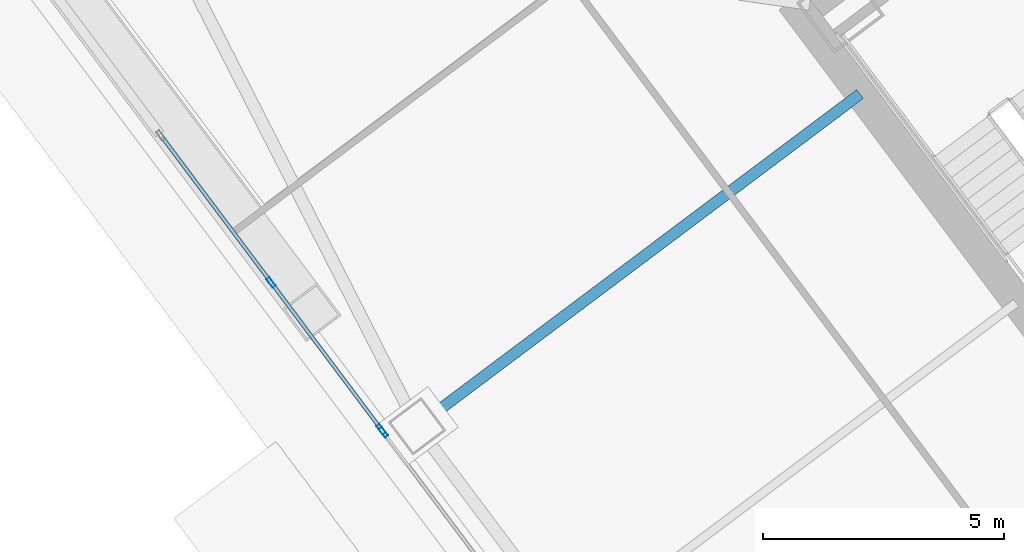
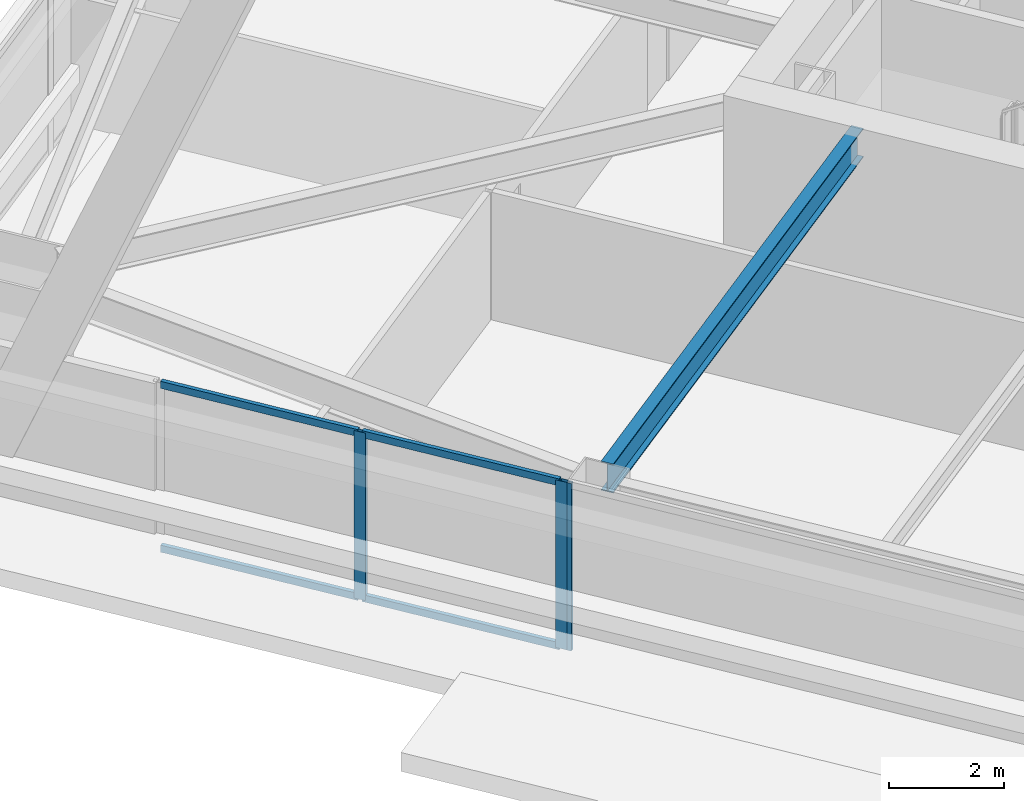
# One storey, part 35 of 67: 7 members, 1 beam, 2 elements without a shape of their own.
"""IFC4 building model written with IfcOpenShell, lengths in metres."""

import ifcopenshell
import ifcopenshell.guid

model = None  # the IFC model being written
_history = None  # IfcOwnerHistory: only IFC2X3 demands one
_inside = {}  # id of a spatial element -> (the spatial element, [elements in it])
_under = {}  # id of a project, library or spatial element -> (it, [spatial elements below it])
_declared = {}  # id of a project -> (the project, [libraries it declares])
_typed = {}  # id of a type object -> (the type object, [elements of that type])
_made_of = {}  # id of a material, layer set ... -> (it, [elements and type objects made of it])


def new_model(schema):
    """Start an empty IFC model of exactly this schema.

    Asked for "IFC4X3", IfcOpenShell would pick the latest addendum, in which some entities
    have other attributes; the version numbers below select the first issue.
    IFC2X3 requires an IfcOwnerHistory on every rooted entity: one is made here for all.
    """
    global model, _history
    if schema == "IFC4X3":
        model = ifcopenshell.file(schema_version=(4, 3, 0, 0))
    else:
        model = ifcopenshell.file(schema=schema)
    _inside.clear()
    _under.clear()
    _declared.clear()
    _typed.clear()
    _made_of.clear()
    _history = None
    if model.schema == "IFC2X3":
        org = make("IfcOrganization", Name="unknown")
        user = make(
            "IfcPersonAndOrganization",
            ThePerson=make("IfcPerson", FamilyName="unknown"),
            TheOrganization=org,
        )
        app = make(
            "IfcApplication",
            ApplicationDeveloper=org,
            Version="unknown",
            ApplicationFullName="unknown",
            ApplicationIdentifier="unknown",
        )
        _history = make(
            "IfcOwnerHistory",
            OwningUser=user,
            OwningApplication=app,
            ChangeAction="ADDED",
            CreationDate=0,
        )
    return model


def make(cls, **values):
    """One entity of the class cls with the attributes given. An attribute that is None is left unset."""
    return model.create_entity(
        cls, **{name: value for name, value in values.items() if value is not None}
    )


def rooted(cls, **values):
    """An entity with a GlobalId (a new one), such as an element, a storey or a relation."""
    return make(cls, GlobalId=ifcopenshell.guid.new(), OwnerHistory=_history, **values)


def si_unit(unit_type, name, prefix=None):
    """IfcSIUnit, for example si_unit("LENGTHUNIT", "METRE", prefix="MILLI")."""
    return make("IfcSIUnit", UnitType=unit_type, Prefix=prefix, Name=name)


def assignment(units):
    """IfcUnitAssignment: the units of a project."""
    return None if units is None else make("IfcUnitAssignment", Units=units)


def point(xyz):
    """IfcCartesianPoint."""
    return None if xyz is None else make("IfcCartesianPoint", Coordinates=xyz)


def direction(xyz):
    """IfcDirection."""
    return None if xyz is None else make("IfcDirection", DirectionRatios=xyz)


def frame(location, z_axis=None, x_axis=None):
    """IfcAxis2Placement3D, a coordinate frame: its origin and axes. An axis left out is left unset."""
    return make(
        "IfcAxis2Placement3D",
        Location=point(location),
        Axis=direction(z_axis),
        RefDirection=direction(x_axis),
    )


def frame_2d(location, x_axis=None):
    """IfcAxis2Placement2D, a coordinate frame in the plane: its origin and x axis."""
    return make(
        "IfcAxis2Placement2D", Location=point(location), RefDirection=direction(x_axis)
    )


def origin():
    """The frame at (0, 0, 0) with its axes left unset."""
    return frame((0.0, 0.0, 0.0))


def origin_2d():
    """The frame at (0, 0) in the plane with its x axis left unset."""
    return frame_2d((0.0, 0.0))


def place(relative_to, where):
    """IfcLocalPlacement: puts the frame where relative to a parent placement (None: the world)."""
    return make(
        "IfcLocalPlacement", PlacementRelTo=relative_to, RelativePlacement=where
    )


def context(
    kind, dimensions, precision=None, world=None, true_north=None, identifier=None
):
    """IfcGeometricRepresentationContext, for example the 3D "Model" context."""
    return make(
        "IfcGeometricRepresentationContext",
        ContextIdentifier=identifier,
        ContextType=kind,
        CoordinateSpaceDimension=dimensions,
        Precision=precision,
        WorldCoordinateSystem=world,
        TrueNorth=true_north,
    )


def subcontext(parent, identifier, kind, view, scale=None):
    """IfcGeometricRepresentationSubContext, for example "Body" below "Model"."""
    return make(
        "IfcGeometricRepresentationSubContext",
        ContextIdentifier=identifier,
        ContextType=kind,
        ParentContext=parent,
        TargetScale=scale,
        TargetView=view,
    )


def project(units=None, contexts=None):
    """IfcProject with its units and contexts."""
    return rooted(
        "IfcProject",
        Name="project",
        RepresentationContexts=contexts,
        UnitsInContext=assignment(units),
    )


def spatial(cls, under=None, at=None, **own):
    """A site, building, storey or space (cls), placed at a placement, below another one or the project."""
    s = rooted(cls, ObjectPlacement=at, **own)
    if under is not None:
        _under.setdefault(under.id(), (under, []))[1].append(s)
    return s


def profile(cls, at=None, kind="AREA", **sizes):
    """A parametric profile (cls). Its sizes go by their IFC names, for example OverallWidth=200.0."""
    return make(cls, ProfileType=kind, Position=at, **sizes)


def hollow_rectangle(**sizes):
    """IfcRectangleHollowProfileDef."""
    return profile("IfcRectangleHollowProfileDef", **sizes)


def i_section(**sizes):
    """IfcIShapeProfileDef."""
    return profile("IfcIShapeProfileDef", **sizes)


def extrude(swept, where, along, depth):
    """IfcExtrudedAreaSolid: the profile swept, set in the frame where, extruded along a direction by depth."""
    return make(
        "IfcExtrudedAreaSolid",
        SweptArea=swept,
        Position=where,
        ExtrudedDirection=direction(along),
        Depth=depth,
    )


def shape(context_of_items, identifier, shape_type, items):
    """IfcShapeRepresentation: the items that make up one representation, for example the "Body"."""
    return make(
        "IfcShapeRepresentation",
        ContextOfItems=context_of_items,
        RepresentationIdentifier=identifier,
        RepresentationType=shape_type,
        Items=items,
    )


def material(Name=None, Category=None):
    """IfcMaterial."""
    return make("IfcMaterial", Name=Name, Category=Category)


def material_profile(
    of_material, cross_section, Name=None, Category=None, Priority=None
):
    """IfcMaterialProfile: a cross section and its material."""
    return make(
        "IfcMaterialProfile",
        Name=Name,
        Material=of_material,
        Profile=cross_section,
        Priority=Priority,
        Category=Category,
    )


def profile_set(profiles, Name=None, composite=None):
    """IfcMaterialProfileSet."""
    return make(
        "IfcMaterialProfileSet",
        Name=Name,
        MaterialProfiles=profiles,
        CompositeProfile=composite,
    )


def made_of(thing, what):
    """Note that an element or type object is made of a material, layer set ...; save() writes the relation."""
    if what is not None:
        _made_of.setdefault(what.id(), (what, []))[1].append(thing)
    return thing


def type_object(cls, material=None, **own):
    """A type object (cls), such as IfcWallType, which elements share."""
    return made_of(rooted(cls, **own), material)


def element(
    cls,
    number,
    at=None,
    inside=None,
    cuts=None,
    type_object=None,
    material=None,
    context=None,
    identifier="Body",
    shape_type=None,
    held_by="IfcProductDefinitionShape",
    body=None,
    shapes=None,
    **own,
):
    """One element of the class cls, such as IfcWall. Its Tag is "e" and its number.

    at: its placement. inside: the storey or other place that contains it. cuts: it is an
    opening in that element (IfcRelVoidsElement). A single representation is given by context,
    identifier, shape_type and body (its items); several are given by shapes. held_by: the class
    of the entity that holds the representations. save() writes the other relations.
    """
    e = rooted(cls, Tag="e%d" % number, ObjectPlacement=at, **own)
    if body is not None:
        shapes = [shape(context, identifier, shape_type, body)]
    if shapes is not None:
        e.Representation = make(held_by, Representations=shapes)
    if inside is not None:
        _inside.setdefault(inside.id(), (inside, []))[1].append(e)
    if cuts is not None:
        rooted(
            "IfcRelVoidsElement", RelatingBuildingElement=cuts, RelatedOpeningElement=e
        )
    if type_object is not None:
        _typed.setdefault(type_object.id(), (type_object, []))[1].append(e)
    return made_of(e, material)


def aggregate(whole, parts):
    """IfcRelAggregates: a whole, such as a stair, and the parts it consists of."""
    return rooted("IfcRelAggregates", RelatingObject=whole, RelatedObjects=parts)


def save(model, path):
    """Write the relations noted so far, then the file.

    IfcRelAggregates (storeys below a building ...), IfcRelContainedInSpatialStructure (elements
    in a storey), IfcRelDefinesByType, IfcRelAssociatesMaterial and IfcRelDeclares: one each for
    every whole, place, type object, material and project.
    """
    for whole, parts in _under.values():
        aggregate(whole, parts)
    for where, things in _inside.values():
        rooted(
            "IfcRelContainedInSpatialStructure",
            RelatedElements=things,
            RelatingStructure=where,
        )
    for kind, things in _typed.values():
        rooted("IfcRelDefinesByType", RelatedObjects=things, RelatingType=kind)
    for what, things in _made_of.values():
        rooted("IfcRelAssociatesMaterial", RelatedObjects=things, RelatingMaterial=what)
    for by, libraries in _declared.values():
        rooted("IfcRelDeclares", RelatingContext=by, RelatedDefinitions=libraries)
    model.write(path)


model = new_model("IFC4")

# Units and contexts
model_context = context("Model", 3, precision=1e-05, world=origin(), true_north=direction((0.0, 1.0)))
body_context = subcontext(model_context, "Body", "Model", "MODEL_VIEW")
ifc_project = project(units=[si_unit("LENGTHUNIT", "METRE"), si_unit("AREAUNIT", "SQUARE_METRE"), si_unit("VOLUMEUNIT", "CUBIC_METRE"), si_unit("PLANEANGLEUNIT", "RADIAN"), si_unit("MASSUNIT", "GRAM", prefix="KILO")], contexts=[model_context])

# Site, building, storey
site_placement = place(None, origin())
site = spatial("IfcSite", under=ifc_project, at=site_placement, CompositionType="ELEMENT")
building_placement = place(site_placement, origin())
building = spatial("IfcBuilding", under=site, at=building_placement, Name="Tashvorn Skyway Center", CompositionType="ELEMENT")
storey_placement = place(building_placement, frame((0.0, 0.0, 67.199951171875)))
storey = spatial("IfcBuildingStorey", under=building, at=storey_placement, Name="L17", CompositionType="ELEMENT", Elevation=67.199951171875)

# Beam
ifc_material_1 = material(Name="Steel ASTM A992 Grade 50", Category="steel")
ifc_material_profile_1 = material_profile(ifc_material_1, i_section(OverallWidth=0.22998046875, OverallDepth=0.616943359375, WebThickness=0.01318359375, FlangeThickness=0.022216796875, at=origin_2d()), Name="W24X94")
ifc_profile_set_1 = profile_set([ifc_material_profile_1], Name="Steel ASTM A992 Grade 50")
beam_type = type_object("IfcBeamType", Name="BM-BEAM-W24X94", PredefinedType="BEAM", material=ifc_profile_set_1)
beam_placement = place(storey_placement, frame((95.696044921875, 25.02197265625, 3.04150390625), z_axis=(0.799989394625, 0.60001414024, 0.0), x_axis=(-0.60001414024, 0.799989394625, 0.0)))
element("IfcBeam", 1, at=beam_placement, inside=storey, type_object=beam_type, Name="Tower 2 L17 Primary Floor Girder FC-W1", PredefinedType="BEAM", context=body_context, shape_type="SweptSolid", body=[
    extrude(i_section(OverallWidth=0.22998046875, OverallDepth=0.616943359375, WebThickness=0.01318359375, FlangeThickness=0.022216796875, at=origin_2d()), origin(), (0.0, 0.0, 1.0), 11.050048828125),
])

# Curtain wall, member
ifc_material_2 = material(Name="Thermally broken bronze-anodized aluminium 6063-T6", Category="aluminium")
curtain_wall_type = type_object("IfcCurtainWallType", Name="CW-CW-Z2", PredefinedType="NOTDEFINED", material=ifc_material_2)
curtain_wall_1_placement = place(storey_placement, origin())
curtain_wall_1 = element("IfcCurtainWall", 2, at=curtain_wall_1_placement, inside=storey, type_object=curtain_wall_type, Name="Tower 2 L17 West Unitised Curtain Wall Glazing Group 2", PredefinedType="NOTDEFINED")
ifc_material_profile_2 = material_profile(ifc_material_2, hollow_rectangle(XDim=0.080078125, YDim=0.219970703125, WallThickness=0.0048828125, at=origin_2d()), Name="ALU-MULL-80x220")
ifc_profile_set_2 = profile_set([ifc_material_profile_2], Name="Thermally broken bronze-anodized aluminium 6063-T6")
member_type_1 = type_object("IfcMemberType", Name="CWM-CW-Z2", PredefinedType="MULLION", material=ifc_profile_set_2)
member_1_placement = place(storey_placement, frame((94.6640625, 24.64794921875, 0.0), z_axis=(0.0, 0.0, 1.0), x_axis=(-0.799999999998, -0.600000000002, 0.0)))
member_1 = element("IfcMember", 3, at=member_1_placement, type_object=member_type_1, Name="CW-Z2 mullion 2", PredefinedType="MULLION", context=body_context, shape_type="SweptSolid", body=[
    extrude(hollow_rectangle(XDim=0.080078125, YDim=0.219970703125, WallThickness=0.0048828125, at=origin_2d()), origin(), (0.0, 0.0, 1.0), 3.550048828125),
])
aggregate(curtain_wall_1, [member_1])

# Curtain wall, members
curtain_wall_2_placement = place(storey_placement, origin())
curtain_wall_2 = element("IfcCurtainWall", 4, at=curtain_wall_2_placement, inside=storey, type_object=curtain_wall_type, Name="Tower 2 L17 West Unitised Curtain Wall Glazing Group 3", PredefinedType="NOTDEFINED")
member_2_placement = place(storey_placement, frame((94.615966796875, 24.7119140625, 0.0), z_axis=(0.0, 0.0, 1.0), x_axis=(-0.799999999998, -0.600000000002, 0.0)))
member_2 = element("IfcMember", 5, at=member_2_placement, type_object=member_type_1, Name="CW-Z2 mullion 1", PredefinedType="MULLION", context=body_context, shape_type="SweptSolid", body=[
    extrude(hollow_rectangle(XDim=0.080078125, YDim=0.219970703125, WallThickness=0.0048828125, at=origin_2d()), origin(), (0.0, 0.0, 1.0), 3.550048828125),
])
member_3_placement = place(storey_placement, frame((92.3359375, 27.751953125, 0.0), z_axis=(0.0, 0.0, 1.0), x_axis=(-0.799999999998, -0.600000000002, 0.0)))
member_3 = element("IfcMember", 6, at=member_3_placement, type_object=member_type_1, Name="CW-Z2 mullion 2", PredefinedType="MULLION", context=body_context, shape_type="SweptSolid", body=[
    extrude(hollow_rectangle(XDim=0.080078125, YDim=0.219970703125, WallThickness=0.0048828125, at=origin_2d()), origin(), (0.0, 0.0, 1.0), 3.550048828125),
])
ifc_material_profile_3 = material_profile(ifc_material_2, hollow_rectangle(XDim=0.080078125, YDim=0.14990234375, WallThickness=0.00439453125, at=origin_2d()), Name="ALU-TRAN-80x150")
ifc_profile_set_3 = profile_set([ifc_material_profile_3], Name="Thermally broken bronze-anodized aluminium 6063-T6")
member_type_2 = type_object("IfcMemberType", Name="CWT-CW-Z2", PredefinedType="USERDEFINED", material=ifc_profile_set_3)
member_4_placement = place(storey_placement, frame((94.592041015625, 24.743896484375, 0.0400390625), z_axis=(-0.599978998559, 0.80001575065, 0.0), x_axis=(-0.80001575065, -0.599978998559, 0.0)))
member_4 = element("IfcMember", 7, at=member_4_placement, type_object=member_type_2, Name="CW-Z2 transom 1.1", ObjectType="TRANSOM", PredefinedType="USERDEFINED", context=body_context, shape_type="SweptSolid", body=[
    extrude(hollow_rectangle(XDim=0.080078125, YDim=0.14990234375, WallThickness=0.00439453125, at=origin_2d()), origin(), (0.0, 0.0, 1.0), 3.719970703125),
])
member_5_placement = place(storey_placement, frame((94.592041015625, 24.743896484375, 3.510009765625), z_axis=(-0.599978998559, 0.80001575065, 0.0), x_axis=(-0.80001575065, -0.599978998559, 0.0)))
member_5 = element("IfcMember", 8, at=member_5_placement, type_object=member_type_2, Name="CW-Z2 transom 1.2", ObjectType="TRANSOM", PredefinedType="USERDEFINED", context=body_context, shape_type="SweptSolid", body=[
    extrude(hollow_rectangle(XDim=0.080078125, YDim=0.14990234375, WallThickness=0.00439453125, at=origin_2d()), origin(), (0.0, 0.0, 1.0), 3.719970703125),
])
member_6_placement = place(storey_placement, frame((92.31201171875, 27.783935546875, 0.0400390625), z_axis=(-0.599978998559, 0.80001575065, 0.0), x_axis=(-0.80001575065, -0.599978998559, 0.0)))
member_6 = element("IfcMember", 9, at=member_6_placement, type_object=member_type_2, Name="CW-Z2 transom 2.1", ObjectType="TRANSOM", PredefinedType="USERDEFINED", context=body_context, shape_type="SweptSolid", body=[
    extrude(hollow_rectangle(XDim=0.080078125, YDim=0.14990234375, WallThickness=0.00439453125, at=origin_2d()), origin(), (0.0, 0.0, 1.0), 3.719970703125),
])
member_7_placement = place(storey_placement, frame((92.31201171875, 27.783935546875, 3.510009765625), z_axis=(-0.599978998559, 0.80001575065, 0.0), x_axis=(-0.80001575065, -0.599978998559, 0.0)))
member_7 = element("IfcMember", 10, at=member_7_placement, type_object=member_type_2, Name="CW-Z2 transom 2.2", ObjectType="TRANSOM", PredefinedType="USERDEFINED", context=body_context, shape_type="SweptSolid", body=[
    extrude(hollow_rectangle(XDim=0.080078125, YDim=0.14990234375, WallThickness=0.00439453125, at=origin_2d()), origin(), (0.0, 0.0, 1.0), 3.719970703125),
])
aggregate(curtain_wall_2, [member_2, member_3, member_4, member_5, member_6, member_7])

save(model, "model.ifc")
